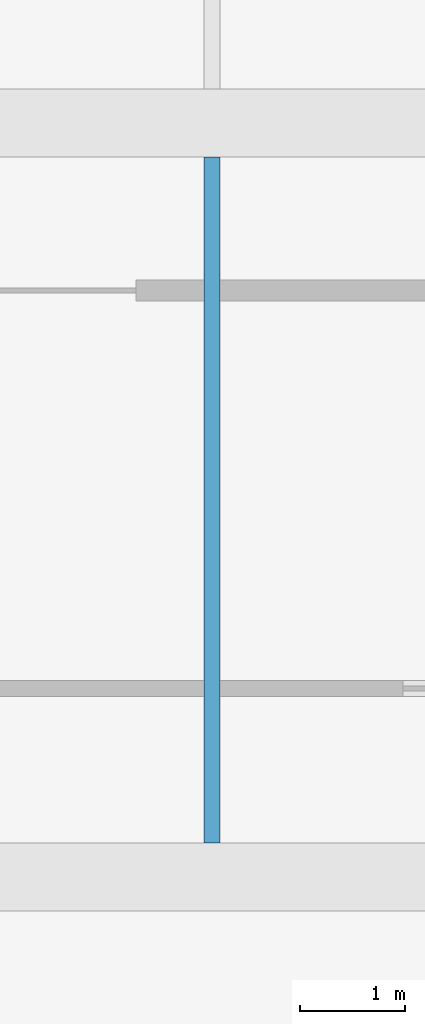
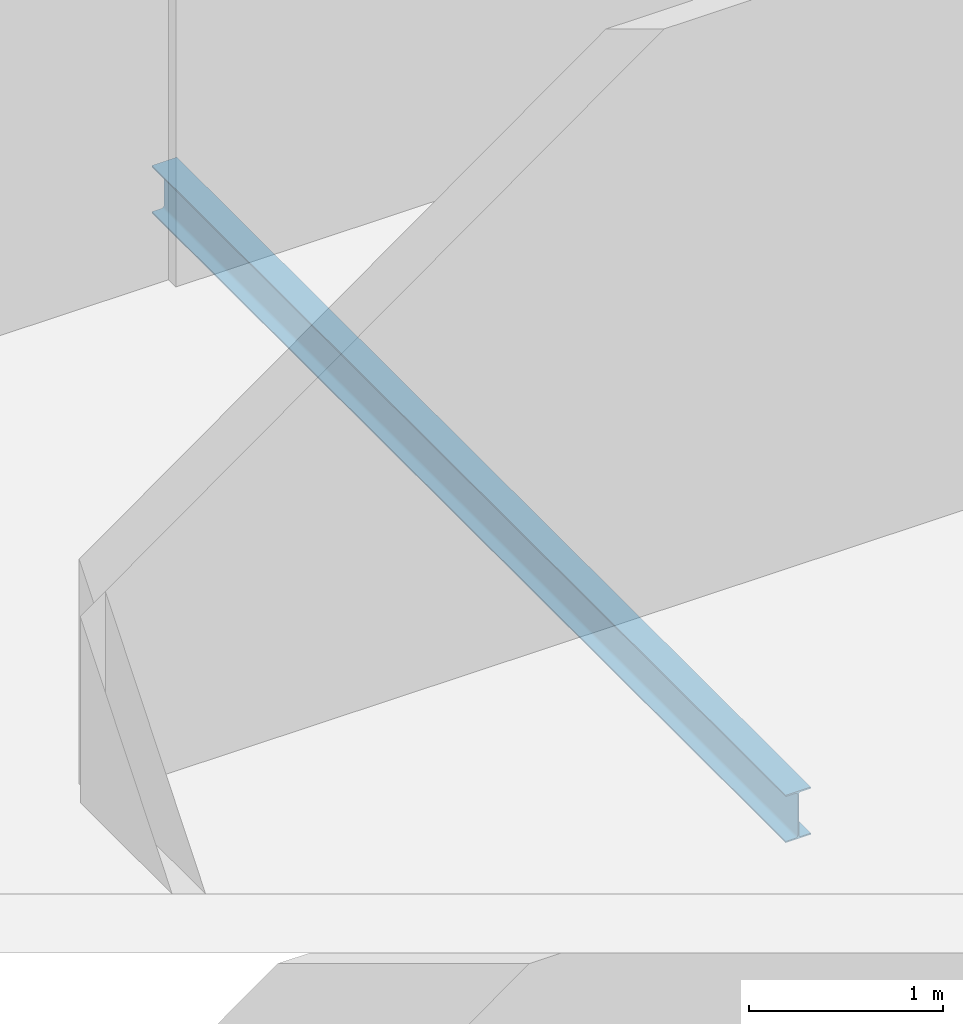
# One storey, part 7 of 25: 1 beam.
"""IFC4 building model written with IfcOpenShell, lengths in metres."""

from ifc_helpers import new_model, si_unit, direction, frame, origin, origin_2d, place, context, subcontext, project, spatial, i_section, extrude, material, material_profile, profile_set, type_object, element, save


model = new_model("IFC4")

# Units and contexts
model_context = context("Model", 3, precision=1e-05, world=origin(), true_north=direction((0.0, 1.0)))
body_context = subcontext(model_context, "Body", "Model", "MODEL_VIEW")
ifc_project = project(units=[si_unit("LENGTHUNIT", "METRE"), si_unit("AREAUNIT", "SQUARE_METRE"), si_unit("VOLUMEUNIT", "CUBIC_METRE"), si_unit("PLANEANGLEUNIT", "RADIAN"), si_unit("MASSUNIT", "GRAM", prefix="KILO")], contexts=[model_context])

# Site, building, storey
site_placement = place(None, origin())
site = spatial("IfcSite", under=ifc_project, at=site_placement, CompositionType="ELEMENT")
building_placement = place(site_placement, origin())
building = spatial("IfcBuilding", under=site, at=building_placement, Name="Kisaragi Civic Commons", CompositionType="ELEMENT")
storey_placement = place(building_placement, frame((0.0, 0.0, 13.5)))
storey = spatial("IfcBuildingStorey", under=building, at=storey_placement, Name="L03", CompositionType="ELEMENT", Elevation=13.5)

# Beam
ifc_material = material(Name="Steel SN400 (SN400B)", Category="steel")
ifc_material_profile = material_profile(ifc_material, i_section(OverallWidth=0.14990234375, OverallDepth=0.300048828125, WebThickness=0.006591796875, FlangeThickness=0.009033203125, FilletRadius=0.012939453125, at=origin_2d()), Name="H-300x150x6.5x9", Category="steel")
ifc_profile_set = profile_set([ifc_material_profile], Name="Steel SN400 (SN400B)")
beam_type = type_object("IfcBeamType", Name="J-03", PredefinedType="JOIST", material=ifc_profile_set)
beam_placement = place(storey_placement, frame((137.60009765625, 104.72509765625, -0.445068359375), z_axis=(0.0, 1.0, 0.0), x_axis=(-1.0, 0.0, 0.0)))
element("IfcBeam", 1, at=beam_placement, inside=storey, type_object=beam_type, Name="L03 secondary steel joist J-03 76", PredefinedType="JOIST", context=body_context, shape_type="SweptSolid", body=[
    extrude(i_section(OverallWidth=0.14990234375, OverallDepth=0.300048828125, WebThickness=0.006591796875, FlangeThickness=0.009033203125, FilletRadius=0.012939453125, at=origin_2d()), origin(), (0.0, 0.0, 1.0), 6.5498046875),
])

save(model, "model.ifc")
